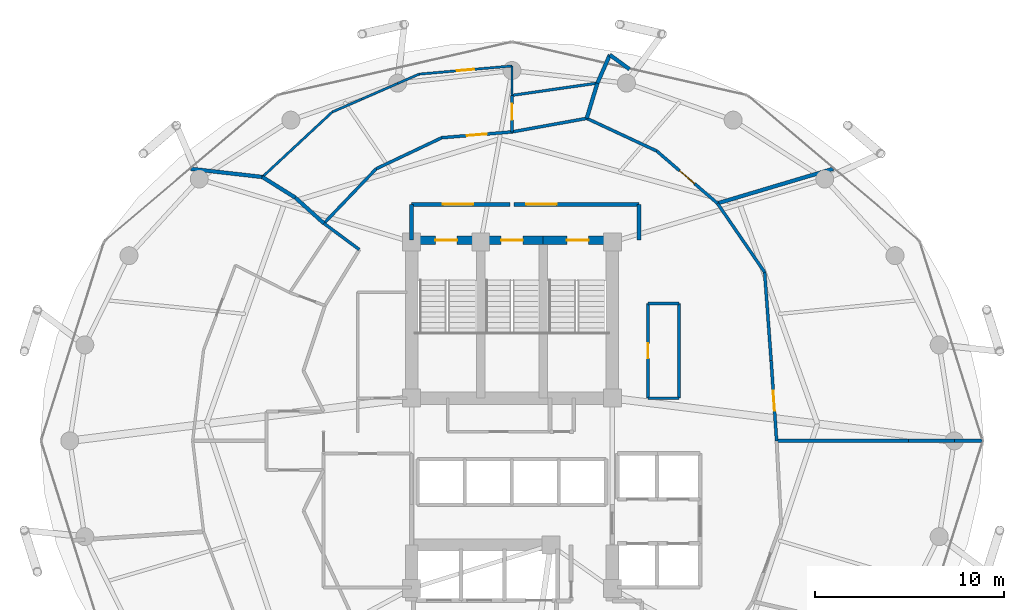
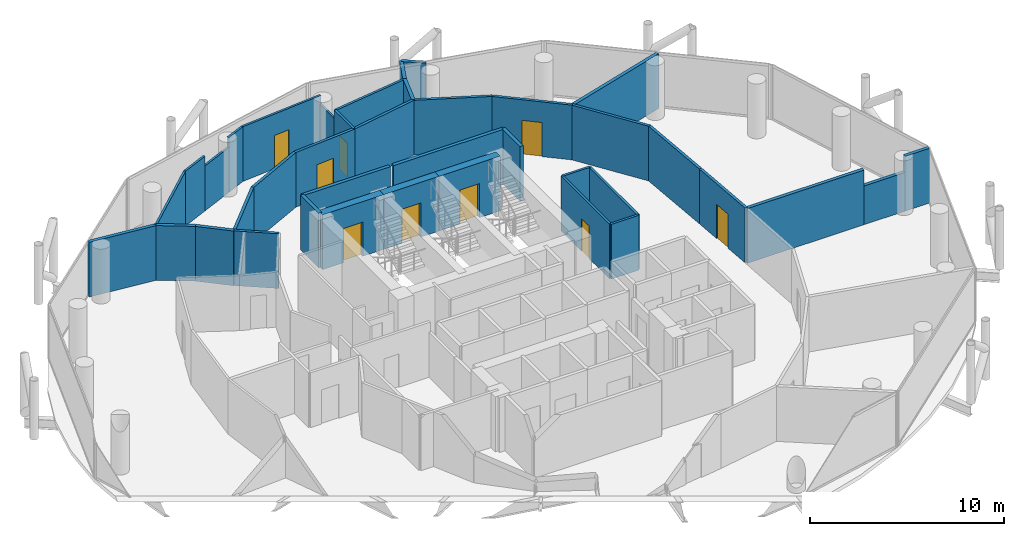
# One storey, part 24 of 26: 39 walls, 11 doors, 11 openings.
"""IFC4 building model written with IfcOpenShell, lengths in metres."""

from ifc_helpers import new_model, si_unit, direction, frame, frame_2d, origin, place, context, subcontext, project, spatial, rectangle, extrude, material, layer, layer_set, type_object, element, fill, save


model = new_model("IFC4")

# Units and contexts
model_context = context("Model", 3, precision=1e-05, world=origin(), true_north=direction((0.0, 1.0)))
body_context = subcontext(model_context, "Body", "Model", "MODEL_VIEW")
ifc_project = project(units=[si_unit("LENGTHUNIT", "METRE"), si_unit("AREAUNIT", "SQUARE_METRE"), si_unit("VOLUMEUNIT", "CUBIC_METRE"), si_unit("PLANEANGLEUNIT", "RADIAN"), si_unit("MASSUNIT", "GRAM", prefix="KILO")], contexts=[model_context])

# Site, building, storey
site_placement = place(None, origin())
site = spatial("IfcSite", under=ifc_project, at=site_placement, CompositionType="ELEMENT")
building_placement = place(site_placement, origin())
building = spatial("IfcBuilding", under=site, at=building_placement, Name="Nuhasar Tower", CompositionType="ELEMENT")
storey_placement = place(building_placement, frame((0.0, 0.0, 155.25)))
storey = spatial("IfcBuildingStorey", under=building, at=storey_placement, Name="L37", CompositionType="ELEMENT", Elevation=155.25)

# Wall, opening, door
ifc_material_1 = material(Name="Concrete C50/60", Category="concrete")
ifc_layer_1 = layer(ifc_material_1, 0.449951171875)
ifc_layer_set_1 = layer_set([ifc_layer_1], Name="Concrete C50/60")
wall_type_1 = type_object("IfcWallType", Name="WL-CORE-450", PredefinedType="SHEAR", material=ifc_layer_set_1)
wall_1_placement = place(storey_placement, frame((37.35009765625, 37.39990234375, 0.0), z_axis=(0.0, 0.0, 1.0), x_axis=(-1.0, 0.0, 0.0)))
wall_1 = element("IfcWall", 1, at=wall_1_placement, inside=storey, type_object=wall_type_1, Name="L37 Stairwell Shear Wall ST01-N", PredefinedType="SHEAR", context=body_context, shape_type="SweptSolid", body=[
    extrude(rectangle(XDim=3.650146484375, YDim=0.449951171875, at=frame_2d((1.8251953125, 0.0))), origin(), (0.0, 0.0, 1.0), 3.449951171875),
])
opening_1_placement = place(wall_1_placement, frame((1.25, 0.0, 0.0)))
opening_1 = element("IfcOpeningElement", 2, at=opening_1_placement, cuts=wall_1, Name="Opening DS-01", PredefinedType="OPENING", context=body_context, shape_type="SweptSolid", body=[
    extrude(rectangle(XDim=1.14990234375, YDim=2.14990234375, at=frame_2d((0.574951171875, 1.074951171875))), frame((0.0, 0.23486328125, 0.0), z_axis=(0.0, -1.0, 0.0), x_axis=(1.0, 0.0, 0.0)), (0.0, 0.0, 1.0), 0.469970703125),
])
ifc_material_2 = material(Name="Steel S355", Category="steel")
door_type_1 = type_object("IfcDoorType", Name="DR-STAIR-FD120-1150", OperationType="NOTDEFINED", PredefinedType="DOOR", material=ifc_material_2)
door_1_placement = place(opening_1_placement, origin())
door_1 = element("IfcDoor", 3, at=door_1_placement, inside=storey, type_object=door_type_1, Name="L37 Exit Stair ST-01 Door", OperationType="SINGLE_SWING_RIGHT", OverallHeight=2.14990234375, OverallWidth=1.14990234375, PredefinedType="DOOR", context=body_context, shape_type="SweptSolid", body=[
    extrude(rectangle(XDim=1.14990234375, YDim=2.14990234375, at=frame_2d((0.574951171875, 1.074951171875))), frame((0.0, 0.02490234375, 0.0), z_axis=(0.0, -1.0, 0.0), x_axis=(1.0, 0.0, 0.0)), (0.0, 0.0, 1.0), 0.050048828125),
])
fill(opening_1, door_1)

wall_2_placement = place(storey_placement, frame((40.64990234375, 37.39990234375, 0.0), z_axis=(0.0, 0.0, 1.0), x_axis=(-1.0, 0.0, 0.0)))
wall_2 = element("IfcWall", 4, at=wall_2_placement, inside=storey, type_object=wall_type_1, Name="L37 Stairwell Shear Wall ST03-N", PredefinedType="SHEAR", context=body_context, shape_type="SweptSolid", body=[
    extrude(rectangle(XDim=3.2998046875, YDim=0.449951171875, at=frame_2d((1.64990234375, 0.0))), origin(), (0.0, 0.0, 1.0), 3.449951171875),
])
opening_2_placement = place(wall_2_placement, frame((1.074951171875, 0.0, 0.0)))
opening_2 = element("IfcOpeningElement", 5, at=opening_2_placement, cuts=wall_2, Name="Opening DS-01", PredefinedType="OPENING", context=body_context, shape_type="SweptSolid", body=[
    extrude(rectangle(XDim=1.14990234375, YDim=2.14990234375, at=frame_2d((0.574951171875, 1.074951171875))), frame((0.0, 0.23486328125, 0.0), z_axis=(0.0, -1.0, 0.0), x_axis=(1.0, 0.0, 0.0)), (0.0, 0.0, 1.0), 0.469970703125),
])
door_2_placement = place(opening_2_placement, origin())
door_2 = element("IfcDoor", 6, at=door_2_placement, inside=storey, type_object=door_type_1, Name="L37 Exit Stair ST-03 Door", OperationType="SINGLE_SWING_RIGHT", OverallHeight=2.14990234375, OverallWidth=1.14990234375, PredefinedType="DOOR", context=body_context, shape_type="SweptSolid", body=[
    extrude(rectangle(XDim=1.14990234375, YDim=2.14990234375, at=frame_2d((0.574951171875, 1.074951171875))), frame((0.0, 0.02490234375, 0.0), z_axis=(0.0, -1.0, 0.0), x_axis=(1.0, 0.0, 0.0)), (0.0, 0.0, 1.0), 0.050048828125),
])
fill(opening_2, door_2)

wall_3_placement = place(storey_placement, frame((44.300048828125, 37.39990234375, 0.0), z_axis=(0.0, 0.0, 1.0), x_axis=(-1.0, 0.0, 0.0)))
wall_3 = element("IfcWall", 7, at=wall_3_placement, inside=storey, type_object=wall_type_1, Name="L37 Stairwell Shear Wall ST02-N", PredefinedType="SHEAR", context=body_context, shape_type="SweptSolid", body=[
    extrude(rectangle(XDim=3.650146484375, YDim=0.449951171875, at=frame_2d((1.8251953125, 0.0))), origin(), (0.0, 0.0, 1.0), 3.449951171875),
])
opening_3_placement = place(wall_3_placement, frame((1.25, 0.0, 0.0)))
opening_3 = element("IfcOpeningElement", 8, at=opening_3_placement, cuts=wall_3, Name="Opening DS-01", PredefinedType="OPENING", context=body_context, shape_type="SweptSolid", body=[
    extrude(rectangle(XDim=1.14990234375, YDim=2.14990234375, at=frame_2d((0.574951171875, 1.074951171875))), frame((0.0, 0.23486328125, 0.0), z_axis=(0.0, -1.0, 0.0), x_axis=(1.0, 0.0, 0.0)), (0.0, 0.0, 1.0), 0.469970703125),
])
door_3_placement = place(opening_3_placement, origin())
door_3 = element("IfcDoor", 9, at=door_3_placement, inside=storey, type_object=door_type_1, Name="L37 Exit Stair ST-02 Door", OperationType="SINGLE_SWING_LEFT", OverallHeight=2.14990234375, OverallWidth=1.14990234375, PredefinedType="DOOR", context=body_context, shape_type="SweptSolid", body=[
    extrude(rectangle(XDim=1.14990234375, YDim=2.14990234375, at=frame_2d((0.574951171875, 1.074951171875))), frame((0.0, 0.02490234375, 0.0), z_axis=(0.0, -1.0, 0.0), x_axis=(1.0, 0.0, 0.0)), (0.0, 0.0, 1.0), 0.050048828125),
])
fill(opening_3, door_3)

ifc_material_3 = material(Name="Gypsum Board", Category="gypsum")
ifc_layer_2 = layer(ifc_material_3, 0.159912109375)
ifc_layer_set_2 = layer_set([ifc_layer_2], Name="Gypsum Board")
wall_type_2 = type_object("IfcWallType", Name="WL-CORR-160", PredefinedType="PARTITIONING", material=ifc_layer_set_2)
wall_4_placement = place(storey_placement, frame((52.68310546875, 31.0380859375, 0.0), z_axis=(0.0, 0.0, 1.0), x_axis=(0.067533698234, -0.997716993743, 0.0)))
wall_4 = element("IfcWall", 10, at=wall_4_placement, inside=storey, type_object=wall_type_2, Name="L37 Interior Partition CORR-00", PredefinedType="PARTITIONING", context=body_context, shape_type="SweptSolid", body=[
    extrude(rectangle(XDim=4.247802734375, YDim=0.159912109375, at=frame_2d((2.1240234375, 0.0))), origin(), (0.0, 0.0, 1.0), 3.449951171875),
])
opening_4_placement = place(wall_4_placement, frame((1.59912109375, 0.0, 0.0)))
opening_4 = element("IfcOpeningElement", 11, at=opening_4_placement, cuts=wall_4, Name="Opening DU-01", PredefinedType="OPENING", context=body_context, shape_type="SweptSolid", body=[
    extrude(rectangle(XDim=1.050048828125, YDim=2.14990234375, at=frame_2d((0.52490234375, 1.074951171875))), frame((0.0, 0.08984375, 0.0), z_axis=(0.0, -1.0, 0.0), x_axis=(1.0, 0.0, 0.0)), (0.0, 0.0, 1.0), 0.179931640625),
])
ifc_material_4 = material(Name="Timber Oak", Category="wood")
door_type_2 = type_object("IfcDoorType", Name="DR-SUITE-FD60-1050", OperationType="NOTDEFINED", PredefinedType="DOOR", material=ifc_material_4)
door_4_placement = place(opening_4_placement, origin())
door_4 = element("IfcDoor", 12, at=door_4_placement, inside=storey, type_object=door_type_2, Name="L37 Sky Yoga & Pilates Studio Entrance Door", OperationType="SINGLE_SWING_LEFT", OverallHeight=2.14990234375, OverallWidth=1.050048828125, PredefinedType="DOOR", context=body_context, shape_type="SweptSolid", body=[
    extrude(rectangle(XDim=1.050048828125, YDim=2.14990234375, at=frame_2d((0.52490234375, 1.074951171875))), frame((0.0, 0.02490234375, 0.0), z_axis=(0.0, -1.0, 0.0), x_axis=(1.0, 0.0, 0.0)), (0.0, 0.0, 1.0), 0.050048828125),
])
fill(opening_4, door_4)

# Walls
wall_5_placement = place(storey_placement, frame((52.68310546875, 31.0380859375, 0.0), z_axis=(0.0, 0.0, 1.0), x_axis=(-0.073833218119, 0.997270603148, 0.0)))
element("IfcWall", 13, at=wall_5_placement, inside=storey, type_object=wall_type_2, Name="L37 Interior Partition CORR-02", PredefinedType="PARTITIONING", context=body_context, shape_type="SweptSolid", body=[
    extrude(rectangle(XDim=4.675537109375, YDim=0.159912109375, at=frame_2d((2.337890625, 0.0))), origin(), (0.0, 0.0, 1.0), 3.449951171875),
])
wall_6_placement = place(storey_placement, frame((52.337890625, 35.700927734375, 0.0), z_axis=(0.0, 0.0, 1.0), x_axis=(-0.565072996938, 0.825040913005, 0.0)))
element("IfcWall", 14, at=wall_6_placement, inside=storey, type_object=wall_type_2, Name="L37 Interior Partition CORR-04", PredefinedType="PARTITIONING", context=body_context, shape_type="SweptSolid", body=[
    extrude(rectangle(XDim=4.408203125, YDim=0.159912109375, at=frame_2d((2.2041015625, 0.0))), origin(), (0.0, 0.0, 1.0), 3.449951171875),
])

# Wall, opening, door
wall_7_placement = place(storey_placement, frame((46.64208984375, 42.10107421875, 0.0), z_axis=(0.0, 0.0, 1.0), x_axis=(0.757363717031, -0.65299326193, 0.0)))
wall_7 = element("IfcWall", 15, at=wall_7_placement, inside=storey, type_object=wall_type_2, Name="L37 Interior Partition CORR-06", PredefinedType="PARTITIONING", context=body_context, shape_type="SweptSolid", body=[
    extrude(rectangle(XDim=4.2314453125, YDim=0.159912109375, at=frame_2d((2.11572265625, 0.0))), origin(), (0.0, 0.0, 1.0), 3.449951171875),
])
opening_5_placement = place(wall_7_placement, frame((1.591064453125, 0.0, 0.0)))
opening_5 = element("IfcOpeningElement", 16, at=opening_5_placement, cuts=wall_7, Name="Opening DU-01", PredefinedType="OPENING", context=body_context, shape_type="SweptSolid", body=[
    extrude(rectangle(XDim=1.050048828125, YDim=2.14990234375, at=frame_2d((0.52490234375, 1.074951171875))), frame((0.0, 0.08984375, 0.0), z_axis=(0.0, -1.0, 0.0), x_axis=(1.0, 0.0, 0.0)), (0.0, 0.0, 1.0), 0.179931640625),
])
door_5_placement = place(opening_5_placement, origin())
door_5 = element("IfcDoor", 17, at=door_5_placement, inside=storey, type_object=door_type_2, Name="L37 Botanical Juice Pantry Entrance Door", OperationType="SINGLE_SWING_RIGHT", OverallHeight=2.14990234375, OverallWidth=1.050048828125, PredefinedType="DOOR", context=body_context, shape_type="SweptSolid", body=[
    extrude(rectangle(XDim=1.050048828125, YDim=2.14990234375, at=frame_2d((0.52490234375, 1.074951171875))), frame((0.0, 0.02490234375, 0.0), z_axis=(0.0, -1.0, 0.0), x_axis=(1.0, 0.0, 0.0)), (0.0, 0.0, 1.0), 0.050048828125),
])
fill(opening_5, door_5)

# Walls
wall_8_placement = place(storey_placement, frame((46.64208984375, 42.10107421875, 0.0), z_axis=(0.0, 0.0, 1.0), x_axis=(-0.906271822744, 0.422695378849, 0.0)))
element("IfcWall", 18, at=wall_8_placement, inside=storey, type_object=wall_type_2, Name="L37 Interior Partition CORR-08", PredefinedType="PARTITIONING", context=body_context, shape_type="SweptSolid", body=[
    extrude(rectangle(XDim=4.078369140625, YDim=0.159912109375, at=frame_2d((2.0390625, 0.0))), origin(), (0.0, 0.0, 1.0), 3.449951171875),
])
wall_9_placement = place(storey_placement, frame((42.946044921875, 43.824951171875, 0.0), z_axis=(0.0, 0.0, 1.0), x_axis=(-0.983984646252, -0.178253235428, 0.0)))
element("IfcWall", 19, at=wall_9_placement, inside=storey, type_object=wall_type_2, Name="L37 Interior Partition CORR-10", PredefinedType="PARTITIONING", context=body_context, shape_type="SweptSolid", body=[
    extrude(rectangle(XDim=4.01025390625, YDim=0.159912109375, at=frame_2d((2.005126953125, 0.0))), origin(), (0.0, 0.0, 1.0), 3.449951171875),
])

# Wall, opening, door
wall_10_placement = place(storey_placement, frame((35.291015625, 42.802001953125, 0.0), z_axis=(0.0, 0.0, 1.0), x_axis=(0.996567439433, 0.082784893929, 0.0)))
wall_10 = element("IfcWall", 20, at=wall_10_placement, inside=storey, type_object=wall_type_2, Name="L37 Interior Partition CORR-12", PredefinedType="PARTITIONING", context=body_context, shape_type="SweptSolid", body=[
    extrude(rectangle(XDim=3.7216796875, YDim=0.159912109375, at=frame_2d((1.86083984375, 0.0))), origin(), (0.0, 0.0, 1.0), 3.449951171875),
])
opening_6_placement = place(wall_10_placement, frame((1.3359375, 0.0, 0.0)))
opening_6 = element("IfcOpeningElement", 21, at=opening_6_placement, cuts=wall_10, Name="Opening DU-01", PredefinedType="OPENING", context=body_context, shape_type="SweptSolid", body=[
    extrude(rectangle(XDim=1.050048828125, YDim=2.14990234375, at=frame_2d((0.52490234375, 1.074951171875))), frame((0.0, 0.08984375, 0.0), z_axis=(0.0, -1.0, 0.0), x_axis=(1.0, 0.0, 0.0)), (0.0, 0.0, 1.0), 0.179931640625),
])
door_6_placement = place(opening_6_placement, origin())
door_6 = element("IfcDoor", 22, at=door_6_placement, inside=storey, type_object=door_type_2, Name="L37 Thermal Sanctuary Suite 02 Entrance Door", OperationType="SINGLE_SWING_LEFT", OverallHeight=2.14990234375, OverallWidth=1.050048828125, PredefinedType="DOOR", context=body_context, shape_type="SweptSolid", body=[
    extrude(rectangle(XDim=1.050048828125, YDim=2.14990234375, at=frame_2d((0.52490234375, 1.074951171875))), frame((0.0, 0.02490234375, 0.0), z_axis=(0.0, -1.0, 0.0), x_axis=(1.0, 0.0, 0.0)), (0.0, 0.0, 1.0), 0.050048828125),
])
fill(opening_6, door_6)

# Walls
wall_11_placement = place(storey_placement, frame((35.291015625, 42.802001953125, 0.0), z_axis=(0.0, 0.0, 1.0), x_axis=(-0.903715790708, -0.42813288781, 0.0)))
element("IfcWall", 23, at=wall_11_placement, inside=storey, type_object=wall_type_2, Name="L37 Interior Partition CORR-14", PredefinedType="PARTITIONING", context=body_context, shape_type="SweptSolid", body=[
    extrude(rectangle(XDim=3.833251953125, YDim=0.159912109375, at=frame_2d((1.91650390625, 0.0))), origin(), (0.0, 0.0, 1.0), 3.449951171875),
])
wall_12_placement = place(storey_placement, frame((31.826904296875, 41.160888671875, 0.0), z_axis=(0.0, 0.0, 1.0), x_axis=(-0.691511696296, -0.722365263482, 0.0)))
element("IfcWall", 24, at=wall_12_placement, inside=storey, type_object=wall_type_2, Name="L37 Interior Partition CORR-16", PredefinedType="PARTITIONING", context=body_context, shape_type="SweptSolid", body=[
    extrude(rectangle(XDim=3.988037109375, YDim=0.159912109375, at=frame_2d((1.994140625, 0.0))), origin(), (0.0, 0.0, 1.0), 3.449951171875),
])
wall_13_placement = place(storey_placement, frame((30.93896484375, 36.89697265625, 0.0), z_axis=(0.0, 0.0, 1.0), x_axis=(-0.803975392498, 0.594662566719, 0.0)))
element("IfcWall", 25, at=wall_13_placement, inside=storey, type_object=wall_type_2, Name="L37 Interior Partition HRAD-18-IN", PredefinedType="PARTITIONING", context=body_context, shape_type="SweptSolid", body=[
    extrude(rectangle(XDim=2.32568359375, YDim=0.159912109375, at=frame_2d((1.162841796875, 0.0))), origin(), (0.0, 0.0, 1.0), 3.449951171875),
])
ifc_material_5 = material(Name="Concrete C45/55", Category="concrete")
ifc_layer_3 = layer(ifc_material_5, 0.199951171875)
ifc_layer_set_3 = layer_set([ifc_layer_3], Name="Concrete C45/55")
wall_type_3 = type_object("IfcWallType", Name="WL-LOBBY-200", PredefinedType="SOLIDWALL", material=ifc_layer_set_3)
for number, where, z_axis, x_axis, name in (
    (26, (33.699951171875, 37.39990234375, 0.0), (0.0, 0.0, 1.0), (0.0, 1.0, 0.0), "L37 Interior Partition NSL-W"),
    (27, (45.699951171875, 37.39990234375, 0.0), (0.0, 0.0, 1.0), (0.0, 1.0, 0.0), "L37 Interior Partition NSL-E"),
):
    element("IfcWall", number, at=place(storey_placement, frame(where, z_axis=z_axis, x_axis=x_axis)), inside=storey, type_object=wall_type_3, Name=name, PredefinedType="SOLIDWALL", context=body_context, shape_type="SweptSolid", body=[
        extrude(rectangle(XDim=1.880126953125, YDim=0.199951171875, at=frame_2d((0.93994140625, 0.0))), origin(), (0.0, 0.0, 1.0), 3.449951171875),
    ])

# Wall, opening, door
wall_14_placement = place(storey_placement, frame((38.89990234375, 39.280029296875, 0.0), z_axis=(0.0, 0.0, 1.0), x_axis=(-1.0, 0.0, 0.0)))
wall_14 = element("IfcWall", 28, at=wall_14_placement, inside=storey, type_object=wall_type_3, Name="L37 Interior Partition NSL-N1", PredefinedType="SOLIDWALL", context=body_context, shape_type="SweptSolid", body=[
    extrude(rectangle(XDim=5.199951171875, YDim=0.199951171875, at=frame_2d((2.60009765625, 0.0))), origin(), (0.0, 0.0, 1.0), 3.449951171875),
])
opening_7_placement = place(wall_14_placement, frame((1.949951171875, 0.0, 0.0)))
opening_7 = element("IfcOpeningElement", 29, at=opening_7_placement, cuts=wall_14, Name="Opening DC-01", PredefinedType="OPENING", context=body_context, shape_type="SweptSolid", body=[
    extrude(rectangle(XDim=1.60009765625, YDim=2.199951171875, at=frame_2d((0.800048828125, 1.10009765625))), frame((0.0, 0.10986328125, 0.0), z_axis=(0.0, -1.0, 0.0), x_axis=(1.0, 0.0, 0.0)), (0.0, 0.0, 1.0), 0.219970703125),
])
door_type_3 = type_object("IfcDoorType", Name="DR-CORR-FD60-1600", OperationType="DOUBLE_DOOR_SINGLE_SWING", PredefinedType="DOOR", material=ifc_material_2)
door_7_placement = place(opening_7_placement, origin())
door_7 = element("IfcDoor", 30, at=door_7_placement, inside=storey, type_object=door_type_3, Name="L37 North Stair Lobby West Door", OperationType="DOUBLE_DOOR_SINGLE_SWING", OverallHeight=2.199951171875, OverallWidth=1.60009765625, PredefinedType="DOOR", context=body_context, shape_type="SweptSolid", body=[
    extrude(rectangle(XDim=1.60009765625, YDim=2.199951171875, at=frame_2d((0.800048828125, 1.10009765625))), frame((0.0, 0.02490234375, 0.0), z_axis=(0.0, -1.0, 0.0), x_axis=(1.0, 0.0, 0.0)), (0.0, 0.0, 1.0), 0.050048828125),
])
fill(opening_7, door_7)

wall_15_placement = place(storey_placement, frame((45.699951171875, 39.280029296875, 0.0), z_axis=(0.0, 0.0, 1.0), x_axis=(-1.0, 0.0, 0.0)))
wall_15 = element("IfcWall", 31, at=wall_15_placement, inside=storey, type_object=wall_type_3, Name="L37 Interior Partition NSL-N2", PredefinedType="SOLIDWALL", context=body_context, shape_type="SweptSolid", body=[
    extrude(rectangle(XDim=6.599853515625, YDim=0.199951171875, at=frame_2d((3.2998046875, 0.0))), origin(), (0.0, 0.0, 1.0), 3.449951171875),
])
opening_8_placement = place(wall_15_placement, frame((4.35009765625, 0.0, 0.0)))
opening_8 = element("IfcOpeningElement", 32, at=opening_8_placement, cuts=wall_15, Name="Opening DC-01", PredefinedType="OPENING", context=body_context, shape_type="SweptSolid", body=[
    extrude(rectangle(XDim=1.60009765625, YDim=2.199951171875, at=frame_2d((0.800048828125, 1.10009765625))), frame((0.0, 0.10986328125, 0.0), z_axis=(0.0, -1.0, 0.0), x_axis=(1.0, 0.0, 0.0)), (0.0, 0.0, 1.0), 0.219970703125),
])
door_8_placement = place(opening_8_placement, origin())
door_8 = element("IfcDoor", 33, at=door_8_placement, inside=storey, type_object=door_type_3, Name="L37 North Stair Lobby East Door", OperationType="DOUBLE_DOOR_SINGLE_SWING", OverallHeight=2.199951171875, OverallWidth=1.60009765625, PredefinedType="DOOR", context=body_context, shape_type="SweptSolid", body=[
    extrude(rectangle(XDim=1.60009765625, YDim=2.199951171875, at=frame_2d((0.800048828125, 1.10009765625))), frame((0.0, 0.02490234375, 0.0), z_axis=(0.0, -1.0, 0.0), x_axis=(1.0, 0.0, 0.0)), (0.0, 0.0, 1.0), 0.050048828125),
])
fill(opening_8, door_8)

# Wall
ifc_layer_4 = layer(ifc_material_3, 0.125)
ifc_layer_set_4 = layer_set([ifc_layer_4], Name="Gypsum Board")
wall_type_4 = type_object("IfcWallType", Name="WL-PART-125", PredefinedType="PARTITIONING", material=ifc_layer_set_4)
wall_16_placement = place(storey_placement, frame((39.0, 45.0400390625, 0.0), z_axis=(0.0, 0.0, 1.0), x_axis=(0.0, 1.0, 0.0)))
element("IfcWall", 34, at=wall_16_placement, inside=storey, type_object=wall_type_4, Name="L37 Interior Partition HBS-06", PredefinedType="PARTITIONING", context=body_context, shape_type="SweptSolid", body=[
    extrude(rectangle(XDim=1.550048828125, YDim=0.125, at=frame_2d((0.77490234375, 0.0))), origin(), (0.0, 0.0, 1.0), 2.9150390625),
])

# Wall, opening, door
wall_17_placement = place(storey_placement, frame((34.092041015625, 46.159912109375, 0.0), z_axis=(0.0, 0.0, 1.0), x_axis=(0.996180851402, 0.087313866596, 0.0)))
wall_17 = element("IfcWall", 35, at=wall_17_placement, inside=storey, type_object=wall_type_4, Name="L37 Interior Partition HSAL-06-12", PredefinedType="PARTITIONING", context=body_context, shape_type="SweptSolid", body=[
    extrude(rectangle(XDim=4.9267578125, YDim=0.125, at=frame_2d((2.46337890625, 0.0))), origin(), (0.0, 0.0, 1.0), 3.449951171875),
])
opening_9_placement = place(wall_17_placement, frame((2.012939453125, 0.0, 0.0)))
opening_9 = element("IfcOpeningElement", 36, at=opening_9_placement, cuts=wall_17, Name="Opening DR-01", PredefinedType="OPENING", context=body_context, shape_type="SweptSolid", body=[
    extrude(rectangle(XDim=0.89990234375, YDim=2.10009765625, at=frame_2d((0.449951171875, 1.050048828125))), frame((0.0, 0.072509765625, 0.0), z_axis=(0.0, -1.0, 0.0), x_axis=(1.0, 0.0, 0.0)), (0.0, 0.0, 1.0), 0.14501953125),
])
door_type_4 = type_object("IfcDoorType", Name="DR-ROOM-900", OperationType="NOTDEFINED", PredefinedType="DOOR", material=ifc_material_4)
door_9_placement = place(opening_9_placement, origin())
door_9 = element("IfcDoor", 37, at=door_9_placement, inside=storey, type_object=door_type_4, Name="L37 Thermal Sanctuary Suite 02 Bedroom Door", OperationType="SINGLE_SWING_RIGHT", OverallHeight=2.10009765625, OverallWidth=0.89990234375, PredefinedType="DOOR", context=body_context, shape_type="SweptSolid", body=[
    extrude(rectangle(XDim=0.89990234375, YDim=2.10009765625, at=frame_2d((0.449951171875, 1.050048828125))), frame((0.0, 0.02490234375, 0.0), z_axis=(0.0, -1.0, 0.0), x_axis=(1.0, 0.0, 0.0)), (0.0, 0.0, 1.0), 0.050048828125),
])
fill(opening_9, door_9)

# Walls
wall_18_placement = place(storey_placement, frame((34.092041015625, 46.159912109375, 0.0), z_axis=(0.0, 0.0, 1.0), x_axis=(-0.916522144476, -0.399983948034, 0.0)))
element("IfcWall", 38, at=wall_18_placement, inside=storey, type_object=wall_type_4, Name="L37 Interior Partition HSAL-06-14", PredefinedType="PARTITIONING", context=body_context, shape_type="SweptSolid", body=[
    extrude(rectangle(XDim=1.2275390625, YDim=0.125, at=frame_2d((0.61376953125, 0.0))), origin(), (0.0, 0.0, 1.0), 3.449951171875),
])
wall_19_placement = place(storey_placement, frame((32.967041015625, 45.6689453125, 0.0), z_axis=(0.0, 0.0, 1.0), x_axis=(-0.916639359056, -0.399715255438, 0.0)))
element("IfcWall", 39, at=wall_19_placement, inside=storey, type_object=wall_type_4, Name="L37 Interior Partition HSAL-06-14", PredefinedType="PARTITIONING", context=body_context, shape_type="SweptSolid", body=[
    extrude(rectangle(XDim=2.06640625, YDim=0.125, at=frame_2d((1.033203125, 0.0))), origin(), (0.0, 0.0, 1.0), 2.830078125),
])
wall_20_placement = place(storey_placement, frame((31.072998046875, 44.843017578125, 0.0), z_axis=(0.0, 0.0, 1.0), x_axis=(-0.916624498979, -0.399749331296, 0.0)))
element("IfcWall", 40, at=wall_20_placement, inside=storey, type_object=wall_type_4, Name="L37 Interior Partition HSAL-06-14", PredefinedType="PARTITIONING", context=body_context, shape_type="SweptSolid", body=[
    extrude(rectangle(XDim=1.700927734375, YDim=0.125, at=frame_2d((0.8505859375, 0.0))), origin(), (0.0, 0.0, 1.0), 3.449951171875),
])
wall_21_placement = place(storey_placement, frame((29.513916015625, 44.1630859375, 0.0), z_axis=(0.0, 0.0, 1.0), x_axis=(-0.73247967819, -0.68078889609, 0.0)))
element("IfcWall", 41, at=wall_21_placement, inside=storey, type_object=wall_type_4, Name="L37 Interior Partition HSAL-06-16", PredefinedType="PARTITIONING", context=body_context, shape_type="SweptSolid", body=[
    extrude(rectangle(XDim=5.044189453125, YDim=0.125, at=frame_2d((2.52197265625, 0.0))), origin(), (0.0, 0.0, 1.0), 3.449951171875),
])
ifc_material_6 = material(Name="Concrete C40/50 precast", Category="concrete")
ifc_layer_5 = layer(ifc_material_6, 0.199951171875)
ifc_layer_set_5 = layer_set([ifc_layer_5], Name="Concrete C40/50 precast")
wall_type_5 = type_object("IfcWallType", Name="WL-UNIT-200", PredefinedType="PARTITIONING", material=ifc_layer_set_5)
wall_22_placement = place(storey_placement, frame((29.069091796875, 38.280029296875, 0.0), z_axis=(0.0, 0.0, 1.0), x_axis=(-0.743085021135, 0.669197019842, 0.0)))
element("IfcWall", 42, at=wall_22_placement, inside=storey, type_object=wall_type_5, Name="L37 Interior Partition HRAD-18-OUT-S1", PredefinedType="PARTITIONING", context=body_context, shape_type="SweptSolid", body=[
    extrude(rectangle(XDim=2.031982421875, YDim=0.199951171875, at=frame_2d((1.01611328125, 0.0))), origin(), (0.0, 0.0, 1.0), 3.449951171875),
])
wall_23_placement = place(storey_placement, frame((27.55908203125, 39.639892578125, 0.0), z_axis=(0.0, 0.0, 1.0), x_axis=(-0.847643984813, 0.530565429529, 0.0)))
element("IfcWall", 43, at=wall_23_placement, inside=storey, type_object=wall_type_5, Name="L37 Interior Partition HRAD-18-OUT-S2", PredefinedType="PARTITIONING", context=body_context, shape_type="SweptSolid", body=[
    extrude(rectangle(XDim=2.052734375, YDim=0.199951171875, at=frame_2d((1.0263671875, 0.0))), origin(), (0.0, 0.0, 1.0), 3.449951171875),
])
wall_24_placement = place(storey_placement, frame((25.819091796875, 40.72900390625, 0.0), z_axis=(0.0, 0.0, 1.0), x_axis=(-0.993548609686, 0.113407055299, 0.0)))
element("IfcWall", 44, at=wall_24_placement, inside=storey, type_object=wall_type_5, Name="L37 Interior Partition HRAD-18-OUT-S3", PredefinedType="PARTITIONING", context=body_context, shape_type="SweptSolid", body=[
    extrude(rectangle(XDim=3.799560546875, YDim=0.199951171875, at=frame_2d((1.89990234375, 0.0))), origin(), (0.0, 0.0, 1.0), 3.449951171875),
])
wall_25_placement = place(storey_placement, frame((52.969970703125, 26.800048828125, 0.0), z_axis=(0.0, 0.0, 1.0), x_axis=(1.0, 0.0, 0.0)))
element("IfcWall", 45, at=wall_25_placement, inside=storey, type_object=wall_type_5, Name="L37 Interior Partition HRAD-00", PredefinedType="PARTITIONING", context=body_context, shape_type="SweptSolid", body=[
    extrude(rectangle(XDim=6.95703125, YDim=0.199951171875, at=frame_2d((3.478515625, 0.0))), origin(), (0.0, 0.0, 1.0), 3.449951171875),
])
wall_26_placement = place(storey_placement, frame((59.927001953125, 26.800048828125, 0.0), z_axis=(0.0, 0.0, 1.0), x_axis=(1.0, 0.0, 0.0)))
element("IfcWall", 46, at=wall_26_placement, inside=storey, type_object=wall_type_5, Name="L37 Interior Partition HRAD-00", PredefinedType="PARTITIONING", context=body_context, shape_type="SweptSolid", body=[
    extrude(rectangle(XDim=2.43505859375, YDim=0.199951171875, at=frame_2d((1.217529296875, 0.0))), origin(), (0.0, 0.0, 1.0), 2.43994140625),
])
wall_27_placement = place(storey_placement, frame((62.362060546875, 26.800048828125, 0.0), z_axis=(0.0, 0.0, 1.0), x_axis=(1.0, 0.0, 0.0)))
element("IfcWall", 47, at=wall_27_placement, inside=storey, type_object=wall_type_5, Name="L37 Interior Partition HRAD-00", PredefinedType="PARTITIONING", context=body_context, shape_type="SweptSolid", body=[
    extrude(rectangle(XDim=1.462890625, YDim=0.199951171875, at=frame_2d((0.7314453125, 0.0))), origin(), (0.0, 0.0, 1.0), 3.449951171875),
])
wall_28_placement = place(storey_placement, frame((49.846923828125, 39.337890625, 0.0), z_axis=(0.0, 0.0, 1.0), x_axis=(0.958287760773, 0.285805121634, 0.0)))
element("IfcWall", 48, at=wall_28_placement, inside=storey, type_object=wall_type_5, Name="L37 Interior Partition HRAD-06", PredefinedType="PARTITIONING", context=body_context, shape_type="SweptSolid", body=[
    extrude(rectangle(XDim=6.375, YDim=0.199951171875, at=frame_2d((3.1875, 0.0))), origin(), (0.0, 0.0, 1.0), 3.449951171875),
])
wall_29_placement = place(storey_placement, frame((42.946044921875, 43.824951171875, 0.0), z_axis=(0.0, 0.0, 1.0), x_axis=(0.289087109565, 0.957302795924, 0.0)))
element("IfcWall", 49, at=wall_29_placement, inside=storey, type_object=wall_type_5, Name="L37 Interior Partition HRAD-10-S1", PredefinedType="PARTITIONING", context=body_context, shape_type="SweptSolid", body=[
    extrude(rectangle(XDim=1.944091796875, YDim=0.199951171875, at=frame_2d((0.97216796875, 0.0))), origin(), (0.0, 0.0, 1.0), 3.449951171875),
])
wall_30_placement = place(storey_placement, frame((43.508056640625, 45.68603515625, 0.0), z_axis=(0.0, 0.0, 1.0), x_axis=(0.40373241072, 0.914877117724, 0.0)))
element("IfcWall", 50, at=wall_30_placement, inside=storey, type_object=wall_type_5, Name="L37 Interior Partition HRAD-10-S2", PredefinedType="PARTITIONING", context=body_context, shape_type="SweptSolid", body=[
    extrude(rectangle(XDim=1.629638671875, YDim=0.199951171875, at=frame_2d((0.81494140625, 0.0))), origin(), (0.0, 0.0, 1.0), 3.449951171875),
])
wall_31_placement = place(storey_placement, frame((44.166015625, 47.177001953125, 0.0), z_axis=(0.0, 0.0, 1.0), x_axis=(0.807036931604, -0.590500966153, 0.0)))
element("IfcWall", 51, at=wall_31_placement, inside=storey, type_object=wall_type_5, Name="L37 Interior Partition HRAD-10-S3", PredefinedType="PARTITIONING", context=body_context, shape_type="SweptSolid", body=[
    extrude(rectangle(XDim=1.288818359375, YDim=0.199951171875, at=frame_2d((0.64453125, 0.0))), origin(), (0.0, 0.0, 1.0), 3.449951171875),
])

# Wall, opening, door
ifc_layer_6 = layer(ifc_material_6, 0.139892578125)
ifc_layer_set_6 = layer_set([ifc_layer_6], Name="Concrete C40/50 precast")
wall_type_6 = type_object("IfcWallType", Name="WL-WET-140", PredefinedType="PARTITIONING", material=ifc_layer_set_6)
wall_32_placement = place(storey_placement, frame((46.179931640625, 34.050048828125, 0.0), z_axis=(0.0, 0.0, 1.0), x_axis=(0.0, -1.0, 0.0)))
wall_32 = element("IfcWall", 52, at=wall_32_placement, inside=storey, type_object=wall_type_6, Name="L37 Interior Partition K3-NE-W", PredefinedType="PARTITIONING", context=body_context, shape_type="SweptSolid", body=[
    extrude(rectangle(XDim=5.0, YDim=0.139892578125, at=frame_2d((2.5, 0.0))), origin(), (0.0, 0.0, 1.0), 3.449951171875),
])
opening_10_placement = place(wall_32_placement, frame((2.10009765625, 0.0, 0.0)))
opening_10 = element("IfcOpeningElement", 53, at=opening_10_placement, cuts=wall_32, Name="Opening DM-01", PredefinedType="OPENING", context=body_context, shape_type="SweptSolid", body=[
    extrude(rectangle(XDim=0.800048828125, YDim=2.050048828125, at=frame_2d((0.39990234375, 1.02490234375))), frame((0.0, 0.080078125, 0.0), z_axis=(0.0, -1.0, 0.0), x_axis=(1.0, 0.0, 0.0)), (0.0, 0.0, 1.0), 0.159912109375),
])
door_type_5 = type_object("IfcDoorType", Name="DR-RISER-FD60-800", OperationType="NOTDEFINED", PredefinedType="DOOR", material=ifc_material_2)
door_10_placement = place(opening_10_placement, origin())
door_10 = element("IfcDoor", 54, at=door_10_placement, inside=storey, type_object=door_type_5, Name="L37 NE Switchgear Room Door", OperationType="SINGLE_SWING_RIGHT", OverallHeight=2.050048828125, OverallWidth=0.800048828125, PredefinedType="DOOR", context=body_context, shape_type="SweptSolid", body=[
    extrude(rectangle(XDim=0.800048828125, YDim=2.050048828125, at=frame_2d((0.39990234375, 1.02490234375))), frame((0.0, 0.02490234375, 0.0), z_axis=(0.0, -1.0, 0.0), x_axis=(1.0, 0.0, 0.0)), (0.0, 0.0, 1.0), 0.050048828125),
])
fill(opening_10, door_10)

# Walls
for number, where, z_axis, x_axis, name in (
    (55, (46.179931640625, 29.050048828125, 0.0), (0.0, 0.0, 1.0), (1.0, 0.0, 0.0), "L37 Interior Partition K3-NE-S"),
    (56, (46.179931640625, 34.050048828125, 0.0), (0.0, 0.0, 1.0), (1.0, 0.0, 0.0), "L37 Interior Partition K3-NE-N"),
):
    element("IfcWall", number, at=place(storey_placement, frame(where, z_axis=z_axis, x_axis=x_axis)), inside=storey, type_object=wall_type_6, Name=name, PredefinedType="PARTITIONING", context=body_context, shape_type="SweptSolid", body=[
        extrude(rectangle(XDim=1.64013671875, YDim=0.139892578125, at=frame_2d((0.820068359375, 0.0))), origin(), (0.0, 0.0, 1.0), 3.449951171875),
    ])
wall_33_placement = place(storey_placement, frame((47.820068359375, 29.050048828125, 0.0), z_axis=(0.0, 0.0, 1.0), x_axis=(0.0, 1.0, 0.0)))
element("IfcWall", 57, at=wall_33_placement, inside=storey, type_object=wall_type_6, Name="L37 Interior Partition K3-NE-E", PredefinedType="PARTITIONING", context=body_context, shape_type="SweptSolid", body=[
    extrude(rectangle(XDim=5.0, YDim=0.139892578125, at=frame_2d((2.5, 0.0))), origin(), (0.0, 0.0, 1.0), 3.449951171875),
])

# Wall, opening, door
wall_34_placement = place(storey_placement, frame((39.0, 43.110107421875, 0.0), z_axis=(0.0, 0.0, 1.0), x_axis=(0.0, 1.0, 0.0)))
wall_34 = element("IfcWall", 58, at=wall_34_placement, inside=storey, type_object=wall_type_6, Name="L37 Interior Partition HBW-06", PredefinedType="PARTITIONING", context=body_context, shape_type="SweptSolid", body=[
    extrude(rectangle(XDim=1.929931640625, YDim=0.139892578125, at=frame_2d((0.96484375, 0.0))), origin(), (0.0, 0.0, 1.0), 3.449951171875),
])
opening_11_placement = place(wall_34_placement, frame((0.635986328125, 0.0, 0.0)))
opening_11 = element("IfcOpeningElement", 59, at=opening_11_placement, cuts=wall_34, Name="Opening DB-01", PredefinedType="OPENING", context=body_context, shape_type="SweptSolid", body=[
    extrude(rectangle(XDim=0.85009765625, YDim=2.10009765625, at=frame_2d((0.425048828125, 1.050048828125))), frame((0.0, 0.080078125, 0.0), z_axis=(0.0, -1.0, 0.0), x_axis=(1.0, 0.0, 0.0)), (0.0, 0.0, 1.0), 0.159912109375),
])
door_type_6 = type_object("IfcDoorType", Name="DR-BATH-850", OperationType="NOTDEFINED", PredefinedType="DOOR", material=ifc_material_4)
door_11_placement = place(opening_11_placement, origin())
door_11 = element("IfcDoor", 60, at=door_11_placement, inside=storey, type_object=door_type_6, Name="L37 Thermal Sanctuary Suite 02 En-Suite Door", OperationType="SINGLE_SWING_RIGHT", OverallHeight=2.10009765625, OverallWidth=0.85009765625, PredefinedType="DOOR", context=body_context, shape_type="SweptSolid", body=[
    extrude(rectangle(XDim=0.85009765625, YDim=2.10009765625, at=frame_2d((0.425048828125, 1.050048828125))), frame((0.0, 0.02490234375, 0.0), z_axis=(0.0, -1.0, 0.0), x_axis=(1.0, 0.0, 0.0)), (0.0, 0.0, 1.0), 0.050048828125),
])
fill(opening_11, door_11)

# Wall
wall_35_placement = place(storey_placement, frame((43.508056640625, 45.68603515625, 0.0), z_axis=(0.0, 0.0, 1.0), x_axis=(-0.989888287083, -0.141849142032, 0.0)))
element("IfcWall", 61, at=wall_35_placement, inside=storey, type_object=wall_type_6, Name="L37 Interior Partition HBF-06-10", PredefinedType="PARTITIONING", context=body_context, shape_type="SweptSolid", body=[
    extrude(rectangle(XDim=4.55419921875, YDim=0.139892578125, at=frame_2d((2.277099609375, 0.0))), origin(), (0.0, 0.0, 1.0), 3.449951171875),
])

save(model, "model.ifc")
